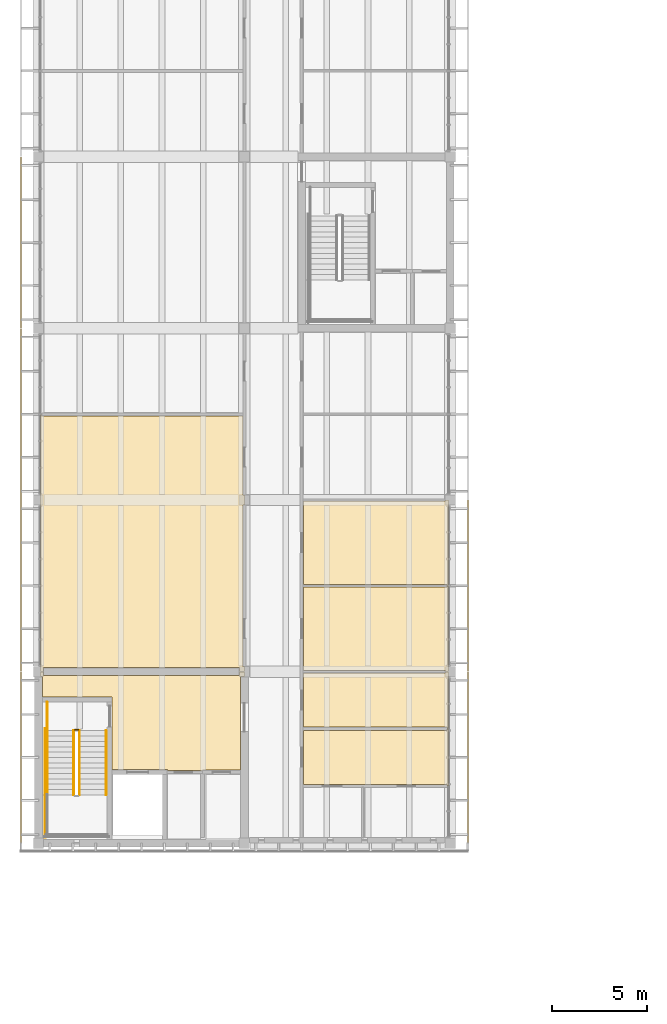
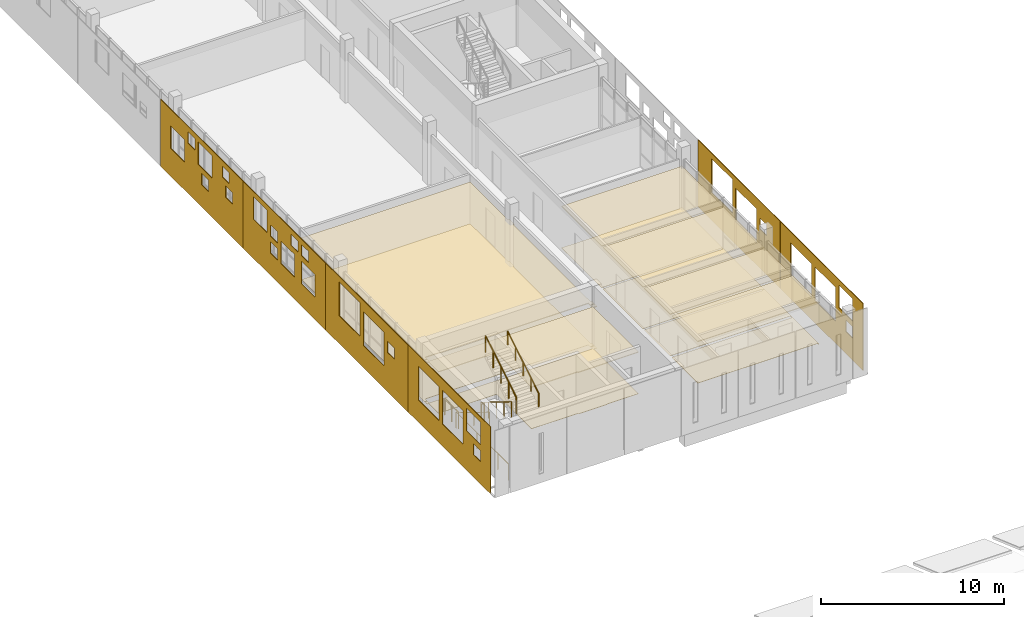
# One storey, part 63 of 74: 18 coverings, 7 railings.
"""IFC4 building model written with IfcOpenShell, lengths in metres."""

from ifc_helpers import new_model, si_unit, direction, frame, origin, origin_2d, place, context, subcontext, project, spatial, polyline, circle, outline, extrude, source, transform, mapped, material, layer, layer_set, type_object, element, save


model = new_model("IFC4")

# Units and contexts
model_context = context("Model", 3, precision=1e-05, world=origin(), true_north=direction((0.0, 1.0)))
body_context = subcontext(model_context, "Body", "Model", "MODEL_VIEW")
ifc_project = project(units=[si_unit("LENGTHUNIT", "METRE"), si_unit("AREAUNIT", "SQUARE_METRE"), si_unit("VOLUMEUNIT", "CUBIC_METRE"), si_unit("PLANEANGLEUNIT", "RADIAN"), si_unit("MASSUNIT", "GRAM", prefix="KILO")], contexts=[model_context])

# Site, building, storey
site_placement = place(None, origin())
site = spatial("IfcSite", under=ifc_project, at=site_placement, CompositionType="ELEMENT")
building_placement = place(site_placement, origin())
building = spatial("IfcBuilding", under=site, at=building_placement, Name="Merrow Basin Faculty of Sciences", CompositionType="ELEMENT")
storey_placement = place(building_placement, frame((0.0, 0.0, 13.5)))
storey = spatial("IfcBuildingStorey", under=building, at=storey_placement, Name="L03", CompositionType="ELEMENT", Elevation=13.5)

# Coverings
ifc_material_1 = material(Name="Carpet tile floor")
ifc_layer_1 = layer(ifc_material_1, 0.02001953125)
ifc_layer_set_1 = layer_set([ifc_layer_1], Name="Carpet tile floor")
covering_type_1 = type_object("IfcCoveringType", Name="Carpet tile floor", PredefinedType="FLOORING", material=ifc_layer_set_1)
covering_1_placement = place(storey_placement, origin())
element("IfcCovering", 1, at=covering_1_placement, inside=storey, type_object=covering_type_1, Name="Floor finish L03-B-021", PredefinedType="FLOORING", context=body_context, shape_type="SweptSolid", body=[
    extrude(outline(polyline([(21.489990234375, 74.489990234375), (21.489990234375, 70.010009765625), (21.3349609375, 70.010009765625), (21.3349609375, 70.06005859375), (13.885009765625, 70.06005859375), (13.885009765625, 74.43994140625), (21.429931640625, 74.43994140625), (21.429931640625, 74.489990234375), (21.489990234375, 74.489990234375)])), origin(), (0.0, 0.0, 1.0), 0.02001953125),
])
covering_2_placement = place(storey_placement, origin())
element("IfcCovering", 2, at=covering_2_placement, inside=storey, type_object=covering_type_1, Name="Floor finish L03-B-022", PredefinedType="FLOORING", context=body_context, shape_type="SweptSolid", body=[
    extrude(outline(polyline([(21.489990234375, 78.989990234375), (21.489990234375, 74.510009765625), (21.429931640625, 74.510009765625), (21.429931640625, 74.56005859375), (13.885009765625, 74.56005859375), (13.885009765625, 78.93994140625), (21.3349609375, 78.93994140625), (21.3349609375, 78.989990234375), (21.489990234375, 78.989990234375)])), origin(), (0.0, 0.0, 1.0), 0.02001953125),
])
covering_3_placement = place(storey_placement, origin())
element("IfcCovering", 3, at=covering_3_placement, inside=storey, type_object=covering_type_1, Name="Floor finish L03-B-029", PredefinedType="FLOORING", context=body_context, shape_type="SweptSolid", body=[
    extrude(outline(polyline([(21.489990234375, 69.989990234375), (21.489990234375, 67.010009765625), (21.429931640625, 67.010009765625), (21.429931640625, 67.0849609375), (13.885009765625, 67.0849609375), (13.885009765625, 69.93994140625), (21.3349609375, 69.93994140625), (21.3349609375, 69.989990234375), (21.489990234375, 69.989990234375)])), origin(), (0.0, 0.0, 1.0), 0.02001953125),
])
ifc_material_2 = material(Name="Laboratory sheet vinyl floor")
ifc_layer_2 = layer(ifc_material_2, 0.02001953125)
ifc_layer_set_2 = layer_set([ifc_layer_2], Name="Laboratory sheet vinyl floor")
covering_type_2 = type_object("IfcCoveringType", Name="Laboratory sheet vinyl floor", PredefinedType="FLOORING", material=ifc_layer_set_2)
covering_4_placement = place(storey_placement, origin())
element("IfcCovering", 4, at=covering_4_placement, inside=storey, type_object=covering_type_2, Name="Floor finish L03-B-017", PredefinedType="FLOORING", context=body_context, shape_type="SweptSolid", body=[
    extrude(outline(polyline([(10.715087890625, 83.4150390625), (10.715087890625, 79.264892578125), (10.7900390625, 79.264892578125), (10.7900390625, 78.735107421875), (10.715087890625, 78.735107421875), (10.715087890625, 70.264892578125), (10.7900390625, 70.264892578125), (10.7900390625, 70.010009765625), (10.534912109375, 70.010009765625), (10.534912109375, 70.2099609375), (0.264892578125, 70.2099609375), (0.264892578125, 70.010009765625), (0.110107421875, 70.010009765625), (0.110107421875, 83.489990234375), (0.169921875, 83.489990234375), (0.169921875, 83.4150390625), (10.715087890625, 83.4150390625)])), origin(), (0.0, 0.0, 1.0), 0.02001953125),
])
ifc_material_3 = material(Name="Polished terrazzo floor")
ifc_layer_3 = layer(ifc_material_3, 0.02001953125)
ifc_layer_set_3 = layer_set([ifc_layer_3], Name="Polished terrazzo floor")
covering_type_3 = type_object("IfcCoveringType", Name="Polished terrazzo floor", PredefinedType="FLOORING", material=ifc_layer_set_3)
covering_5_placement = place(storey_placement, origin())
element("IfcCovering", 5, at=covering_5_placement, inside=storey, type_object=covering_type_3, Name="Floor finish L03-B-005", PredefinedType="FLOORING", context=body_context, shape_type="SweptSolid", body=[
    extrude(outline(polyline([(10.590087890625, 64.8349609375), (8.590087890625, 64.8349609375), (8.590087890625, 64.81005859375), (6.760009765625, 64.81005859375), (6.760009765625, 64.860107421875), (3.860107421875, 64.860107421875), (3.860107421875, 68.659912109375), (0.2099609375, 68.659912109375), (0.2099609375, 69.735107421875), (0.110107421875, 69.735107421875), (0.110107421875, 69.989990234375), (0.264892578125, 69.989990234375), (0.264892578125, 69.7900390625), (10.534912109375, 69.7900390625), (10.534912109375, 69.989990234375), (10.7900390625, 69.989990234375), (10.7900390625, 69.735107421875), (10.590087890625, 69.735107421875), (10.590087890625, 64.8349609375)])), origin(), (0.0, 0.0, 1.0), 0.02001953125),
])
covering_6_placement = place(storey_placement, origin())
element("IfcCovering", 6, at=covering_6_placement, inside=storey, type_object=covering_type_3, Name="Floor finish L03-B-016", PredefinedType="FLOORING", context=body_context, shape_type="SweptSolid", body=[
    extrude(outline(polyline([(21.489990234375, 66.989990234375), (21.489990234375, 64.010009765625), (21.429931640625, 64.010009765625), (21.429931640625, 64.0849609375), (13.885009765625, 64.0849609375), (13.885009765625, 66.9150390625), (21.429931640625, 66.9150390625), (21.429931640625, 66.989990234375), (21.489990234375, 66.989990234375)])), origin(), (0.0, 0.0, 1.0), 0.02001953125),
])

# Railings
ifc_material_4 = material(Name="Steel ASTM A36", Category="steel")
railing_type_1 = type_object("IfcRailingType", Name="Steel guard 1100", PredefinedType="GUARDRAIL", material=ifc_material_4)
railing_1_placement = place(storey_placement, frame((1.85009765625, 66.89990234375, 0.173095703125)))
element("IfcRailing", 7, at=railing_1_placement, inside=storey, type_object=railing_type_1, Name="L03 ST-V4-S stair guard 1", PredefinedType="GUARDRAIL", context=body_context, shape_type="SweptSolid", body=[
    extrude(circle(Radius=0.02392578125, at=origin_2d()), frame((0.0, 0.0, 1.076171875), z_axis=(0.0, -0.850606129759, 0.525803396734), x_axis=(1.0, 0.0, 0.0)), (0.0, 0.0, 1.0), 3.949951171875),
    extrude(circle(Radius=0.02099609375, at=origin_2d()), origin(), (0.0, 0.0, 1.0), 1.052001953125),
    extrude(circle(Radius=0.02099609375, at=origin_2d()), frame((0.0, -0.83984375, 0.519287109375)), (0.0, 0.0, 1.0), 1.052001953125),
    extrude(circle(Radius=0.02099609375, at=origin_2d()), frame((0.0, -1.679931640625, 1.03857421875)), (0.0, 0.0, 1.0), 1.052001953125),
    extrude(circle(Radius=0.02099609375, at=origin_2d()), frame((0.0, -2.52001953125, 1.5576171875)), (0.0, 0.0, 1.0), 1.052001953125),
    extrude(circle(Radius=0.02099609375, at=origin_2d()), frame((0.0, -3.35986328125, 2.076904296875)), (0.0, 0.0, 1.0), 1.052001953125),
])
railing_2_placement = place(storey_placement, frame((2.14990234375, 63.5400390625, 2.423095703125)))
element("IfcRailing", 8, at=railing_2_placement, inside=storey, type_object=railing_type_1, Name="L03 ST-V4-S stair guard 5", PredefinedType="GUARDRAIL", context=body_context, shape_type="SweptSolid", body=[
    extrude(circle(Radius=0.02392578125, at=origin_2d()), frame((0.0, 0.0, 1.076171875), z_axis=(0.0, 0.850606129759, 0.525803396734), x_axis=(-1.0, 0.0, 0.0)), (0.0, 0.0, 1.0), 3.949951171875),
    extrude(circle(Radius=0.02099609375, at=origin_2d()), origin(), (0.0, 0.0, 1.0), 1.052001953125),
    extrude(circle(Radius=0.02099609375, at=origin_2d()), frame((0.0, 0.83984375, 0.519287109375)), (0.0, 0.0, 1.0), 1.052001953125),
    extrude(circle(Radius=0.02099609375, at=origin_2d()), frame((0.0, 1.679931640625, 1.03857421875)), (0.0, 0.0, 1.0), 1.052001953125),
    extrude(circle(Radius=0.02099609375, at=origin_2d()), frame((0.0, 2.52001953125, 1.5576171875)), (0.0, 0.0, 1.0), 1.052001953125),
    extrude(circle(Radius=0.02099609375, at=origin_2d()), frame((0.0, 3.35986328125, 2.076904296875)), (0.0, 0.0, 1.0), 1.052001953125),
])
railing_3_placement = place(storey_placement, frame((1.89990234375, 66.949951171875, 0.0)))
element("IfcRailing", 9, at=railing_3_placement, inside=storey, type_object=railing_type_1, Name="L03 ST-V4-S stair guard 6", PredefinedType="GUARDRAIL", context=body_context, shape_type="SweptSolid", body=[
    extrude(circle(Radius=0.02392578125, at=origin_2d()), frame((0.0, 0.0, 1.076171875), z_axis=(1.0, 0.0, 0.0), x_axis=(0.0, 1.0, 0.0)), (0.0, 0.0, 1.0), 0.2001953125),
    extrude(circle(Radius=0.02099609375, at=origin_2d()), origin(), (0.0, 0.0, 1.0), 1.052001953125),
    extrude(circle(Radius=0.02099609375, at=origin_2d()), frame((0.2001953125, 0.0, 0.0)), (0.0, 0.0, 1.0), 1.052001953125),
])
railing_4_placement = place(storey_placement, frame((0.449951171875, 68.39990234375, 0.0)))
element("IfcRailing", 10, at=railing_4_placement, inside=storey, type_object=railing_type_1, Name="L03 ST-V4-S stair guard 7", PredefinedType="GUARDRAIL", context=body_context, shape_type="SweptSolid", body=[
    extrude(circle(Radius=0.02392578125, at=origin_2d()), frame((0.0, 0.0, 1.076171875), z_axis=(0.0, -1.0, 0.0), x_axis=(1.0, 0.0, 0.0)), (0.0, 0.0, 1.0), 1.5),
    extrude(circle(Radius=0.02099609375, at=origin_2d()), origin(), (0.0, 0.0, 1.0), 1.052001953125),
    extrude(circle(Radius=0.02099609375, at=origin_2d()), frame((0.0, -0.75, 0.0)), (0.0, 0.0, 1.0), 1.052001953125),
    extrude(circle(Radius=0.02099609375, at=origin_2d()), frame((0.0, -1.5, 0.0)), (0.0, 0.0, 1.0), 1.052001953125),
])
railing_5_placement = place(storey_placement, frame((0.35009765625, 67.0, 0.0)))
element("IfcRailing", 11, at=railing_5_placement, inside=storey, type_object=railing_type_1, Name="L03 ST-V4-S stair guard 8", PredefinedType="GUARDRAIL", context=body_context, shape_type="SweptSolid", body=[
    extrude(circle(Radius=0.02392578125, at=origin_2d()), frame((0.0, 0.0, 1.076171875), z_axis=(0.0, -1.0, 0.0), x_axis=(1.0, 0.0, 0.0)), (0.0, 0.0, 1.0), 5.699951171875),
    extrude(circle(Radius=0.02099609375, at=origin_2d()), origin(), (0.0, 0.0, 1.0), 1.052001953125),
    extrude(circle(Radius=0.02099609375, at=origin_2d()), frame((0.0, -1.139892578125, 0.0)), (0.0, 0.0, 1.0), 1.052001953125),
    extrude(circle(Radius=0.02099609375, at=origin_2d()), frame((0.0, -2.280029296875, 0.0)), (0.0, 0.0, 1.0), 1.052001953125),
    extrude(circle(Radius=0.02099609375, at=origin_2d()), frame((0.0, -3.419921875, 0.0)), (0.0, 0.0, 1.0), 1.052001953125),
    extrude(circle(Radius=0.02099609375, at=origin_2d()), frame((0.0, -4.56005859375, 0.0)), (0.0, 0.0, 1.0), 1.052001953125),
    extrude(circle(Radius=0.02099609375, at=origin_2d()), frame((0.0, -5.699951171875, 0.0)), (0.0, 0.0, 1.0), 1.052001953125),
])
ifc_material_5 = material(Name="Steel ASTM A36", Category="steel")
railing_type_2 = type_object("IfcRailingType", Name="Steel handrail 900", PredefinedType="HANDRAIL", material=ifc_material_5)
railing_6_placement = place(storey_placement, frame((0.449951171875, 66.89990234375, 0.173095703125)))
element("IfcRailing", 12, at=railing_6_placement, inside=storey, type_object=railing_type_2, Name="L03 ST-V4-S stair handrail 1", PredefinedType="HANDRAIL", context=body_context, shape_type="SweptSolid", body=[
    extrude(circle(Radius=0.02392578125, at=origin_2d()), frame((0.0, 0.0, 0.8759765625), z_axis=(0.0, -0.850606129759, 0.525803396734), x_axis=(1.0, 0.0, 0.0)), (0.0, 0.0, 1.0), 3.949951171875),
    extrude(circle(Radius=0.02099609375, at=origin_2d()), origin(), (0.0, 0.0, 1.0), 0.851806640625),
    extrude(circle(Radius=0.02099609375, at=origin_2d()), frame((0.0, -0.83984375, 0.519287109375)), (0.0, 0.0, 1.0), 0.851806640625),
    extrude(circle(Radius=0.02099609375, at=origin_2d()), frame((0.0, -1.679931640625, 1.03857421875)), (0.0, 0.0, 1.0), 0.851806640625),
    extrude(circle(Radius=0.02099609375, at=origin_2d()), frame((0.0, -2.52001953125, 1.5576171875)), (0.0, 0.0, 1.0), 0.851806640625),
    extrude(circle(Radius=0.02099609375, at=origin_2d()), frame((0.0, -3.35986328125, 2.076904296875)), (0.0, 0.0, 1.0), 0.851806640625),
])
railing_7_placement = place(storey_placement, frame((3.550048828125, 63.5400390625, 2.423095703125)))
element("IfcRailing", 13, at=railing_7_placement, inside=storey, type_object=railing_type_2, Name="L03 ST-V4-S stair handrail 2", PredefinedType="HANDRAIL", context=body_context, shape_type="SweptSolid", body=[
    extrude(circle(Radius=0.02392578125, at=origin_2d()), frame((0.0, 0.0, 0.8759765625), z_axis=(0.0, 0.850606129759, 0.525803396734), x_axis=(-1.0, 0.0, 0.0)), (0.0, 0.0, 1.0), 3.949951171875),
    extrude(circle(Radius=0.02099609375, at=origin_2d()), origin(), (0.0, 0.0, 1.0), 0.851806640625),
    extrude(circle(Radius=0.02099609375, at=origin_2d()), frame((0.0, 0.83984375, 0.519287109375)), (0.0, 0.0, 1.0), 0.851806640625),
    extrude(circle(Radius=0.02099609375, at=origin_2d()), frame((0.0, 1.679931640625, 1.03857421875)), (0.0, 0.0, 1.0), 0.851806640625),
    extrude(circle(Radius=0.02099609375, at=origin_2d()), frame((0.0, 2.52001953125, 1.5576171875)), (0.0, 0.0, 1.0), 0.851806640625),
    extrude(circle(Radius=0.02099609375, at=origin_2d()), frame((0.0, 3.35986328125, 2.076904296875)), (0.0, 0.0, 1.0), 0.851806640625),
])

# Coverings
ifc_material_6 = material(Name="Mineral fibre ceiling tile")
ifc_layer_4 = layer(ifc_material_6, 0.050048828125)
ifc_layer_set_4 = layer_set([ifc_layer_4], Name="Suspended acoustic ceiling tile")
covering_type_4 = type_object("IfcCoveringType", Name="Suspended acoustic ceiling tile", PredefinedType="CEILING", material=ifc_layer_set_4)
covering_7_placement = place(storey_placement, frame((0.0, 0.0, 2.75)))
element("IfcCovering", 14, at=covering_7_placement, inside=storey, type_object=covering_type_4, Name="Ceiling L03-B-005", PredefinedType="CEILING", context=body_context, shape_type="SweptSolid", body=[
    extrude(outline(polyline([(10.590087890625, 64.8349609375), (8.590087890625, 64.8349609375), (8.590087890625, 64.81005859375), (6.760009765625, 64.81005859375), (6.760009765625, 64.860107421875), (3.860107421875, 64.860107421875), (3.860107421875, 68.659912109375), (0.2099609375, 68.659912109375), (0.2099609375, 69.735107421875), (0.110107421875, 69.735107421875), (0.110107421875, 69.989990234375), (0.264892578125, 69.989990234375), (0.264892578125, 69.7900390625), (10.534912109375, 69.7900390625), (10.534912109375, 69.989990234375), (10.7900390625, 69.989990234375), (10.7900390625, 69.735107421875), (10.590087890625, 69.735107421875), (10.590087890625, 64.8349609375)])), origin(), (0.0, 0.0, 1.0), 0.050048828125),
])
covering_8_placement = place(storey_placement, frame((0.0, 0.0, 2.75)))
element("IfcCovering", 15, at=covering_8_placement, inside=storey, type_object=covering_type_4, Name="Ceiling L03-B-016", PredefinedType="CEILING", context=body_context, shape_type="SweptSolid", body=[
    extrude(outline(polyline([(21.489990234375, 66.989990234375), (21.489990234375, 64.010009765625), (21.429931640625, 64.010009765625), (21.429931640625, 64.0849609375), (13.885009765625, 64.0849609375), (13.885009765625, 66.9150390625), (21.429931640625, 66.9150390625), (21.429931640625, 66.989990234375), (21.489990234375, 66.989990234375)])), origin(), (0.0, 0.0, 1.0), 0.050048828125),
])
covering_9_placement = place(storey_placement, frame((0.0, 0.0, 2.75)))
element("IfcCovering", 16, at=covering_9_placement, inside=storey, type_object=covering_type_4, Name="Ceiling L03-B-017", PredefinedType="CEILING", context=body_context, shape_type="SweptSolid", body=[
    extrude(outline(polyline([(10.715087890625, 83.4150390625), (10.715087890625, 79.264892578125), (10.7900390625, 79.264892578125), (10.7900390625, 78.735107421875), (10.715087890625, 78.735107421875), (10.715087890625, 70.264892578125), (10.7900390625, 70.264892578125), (10.7900390625, 70.010009765625), (10.534912109375, 70.010009765625), (10.534912109375, 70.2099609375), (0.264892578125, 70.2099609375), (0.264892578125, 70.010009765625), (0.110107421875, 70.010009765625), (0.110107421875, 83.489990234375), (0.169921875, 83.489990234375), (0.169921875, 83.4150390625), (10.715087890625, 83.4150390625)])), origin(), (0.0, 0.0, 1.0), 0.050048828125),
])
covering_10_placement = place(storey_placement, frame((0.0, 0.0, 2.75)))
element("IfcCovering", 17, at=covering_10_placement, inside=storey, type_object=covering_type_4, Name="Ceiling L03-B-021", PredefinedType="CEILING", context=body_context, shape_type="SweptSolid", body=[
    extrude(outline(polyline([(21.489990234375, 74.489990234375), (21.489990234375, 70.010009765625), (21.3349609375, 70.010009765625), (21.3349609375, 70.06005859375), (13.885009765625, 70.06005859375), (13.885009765625, 74.43994140625), (21.429931640625, 74.43994140625), (21.429931640625, 74.489990234375), (21.489990234375, 74.489990234375)])), origin(), (0.0, 0.0, 1.0), 0.050048828125),
])
covering_11_placement = place(storey_placement, frame((0.0, 0.0, 2.75)))
element("IfcCovering", 18, at=covering_11_placement, inside=storey, type_object=covering_type_4, Name="Ceiling L03-B-022", PredefinedType="CEILING", context=body_context, shape_type="SweptSolid", body=[
    extrude(outline(polyline([(21.489990234375, 78.989990234375), (21.489990234375, 74.510009765625), (21.429931640625, 74.510009765625), (21.429931640625, 74.56005859375), (13.885009765625, 74.56005859375), (13.885009765625, 78.93994140625), (21.3349609375, 78.93994140625), (21.3349609375, 78.989990234375), (21.489990234375, 78.989990234375)])), origin(), (0.0, 0.0, 1.0), 0.050048828125),
])
covering_12_placement = place(storey_placement, frame((0.0, 0.0, 2.75)))
element("IfcCovering", 19, at=covering_12_placement, inside=storey, type_object=covering_type_4, Name="Ceiling L03-B-029", PredefinedType="CEILING", context=body_context, shape_type="SweptSolid", body=[
    extrude(outline(polyline([(21.489990234375, 69.989990234375), (21.489990234375, 67.010009765625), (21.429931640625, 67.010009765625), (21.429931640625, 67.0849609375), (13.885009765625, 67.0849609375), (13.885009765625, 69.93994140625), (21.3349609375, 69.93994140625), (21.3349609375, 69.989990234375), (21.489990234375, 69.989990234375)])), origin(), (0.0, 0.0, 1.0), 0.050048828125),
])
ifc_material_7 = material(Name="White powder-coated aluminium", Category="aluminium")
ifc_layer_5 = layer(ifc_material_7, 0.0400390625)
ifc_layer_set_5 = layer_set([ifc_layer_5], Name="Perforated panel 9000 x 4500")
covering_type_5 = type_object("IfcCoveringType", Name="Perforated panel 9000 x 4500", PredefinedType="CLADDING", material=ifc_layer_set_5)
shared_shape_1 = source(origin(), body_context, "Body", "SweptSolid", [
    extrude(outline(polyline([(0.02001953125, 0.02001953125), (8.97998046875, 0.02001953125), (8.97998046875, 4.47998046875), (0.02001953125, 4.47998046875), (0.02001953125, 0.02001953125)]), holes=[polyline([(1.125, 1.5), (1.875, 1.5), (1.875, 2.25), (1.125, 2.25), (1.125, 1.5)]), polyline([(3.0, 1.5), (5.25, 1.5), (5.25, 3.75), (3.0, 3.75), (3.0, 1.5)]), polyline([(5.625, 1.5), (7.875, 1.5), (7.875, 3.75), (5.625, 3.75), (5.625, 1.5)]), polyline([(1.125, 2.625), (2.625, 2.625), (2.625, 4.125), (1.125, 4.125), (1.125, 2.625)])]), origin(), (0.0, 0.0, 1.0), 0.0400390625),
])
covering_13_placement = place(storey_placement, frame((-0.93994140625, 61.0, -0.320068359375), z_axis=(1.0, 0.0, 0.0), x_axis=(0.0, 1.0, 0.0)))
element("IfcCovering", 20, at=covering_13_placement, inside=storey, type_object=covering_type_5, Name="Perforated panel WL03-01", PredefinedType="CLADDING", context=body_context, shape_type="MappedRepresentation", body=[
    mapped(shared_shape_1, transform((0.0, 0.0, 0.0), scale=1.0)),
])
shared_shape_2 = source(origin(), body_context, "Body", "SweptSolid", [
    extrude(outline(polyline([(0.02001953125, 0.02001953125), (8.97998046875, 0.02001953125), (8.97998046875, 4.47998046875), (0.02001953125, 4.47998046875), (0.02001953125, 0.02001953125)]), holes=[polyline([(7.125, 1.5), (7.875, 1.5), (7.875, 2.25), (7.125, 2.25), (7.125, 1.5)]), polyline([(3.75, 1.5), (6.0, 1.5), (6.0, 3.75), (3.75, 3.75), (3.75, 1.5)]), polyline([(1.125, 1.5), (3.375, 1.5), (3.375, 3.75), (1.125, 3.75), (1.125, 1.5)]), polyline([(6.375, 2.625), (7.875, 2.625), (7.875, 4.125), (6.375, 4.125), (6.375, 2.625)])]), origin(), (0.0, 0.0, 1.0), 0.0400390625),
])
covering_14_placement = place(storey_placement, frame((22.5400390625, 70.0, -0.320068359375), z_axis=(-1.0, 0.0, 0.0), x_axis=(0.0, -1.0, 0.0)))
element("IfcCovering", 21, at=covering_14_placement, inside=storey, type_object=covering_type_5, Name="Perforated panel EL03-01", PredefinedType="CLADDING", context=body_context, shape_type="MappedRepresentation", body=[
    mapped(shared_shape_2, transform((0.0, 0.0, 0.0), scale=1.0)),
])
shared_shape_3 = source(origin(), body_context, "Body", "SweptSolid", [
    extrude(outline(polyline([(0.02001953125, 0.02001953125), (8.97998046875, 0.02001953125), (8.97998046875, 4.47998046875), (0.02001953125, 4.47998046875), (0.02001953125, 0.02001953125)]), holes=[polyline([(2.625, 1.5), (4.875, 1.5), (4.875, 3.75), (2.625, 3.75), (2.625, 1.5)]), polyline([(5.25, 1.875), (7.5, 1.875), (7.5, 4.125), (5.25, 4.125), (5.25, 1.875)]), polyline([(1.5, 2.625), (2.25, 2.625), (2.25, 3.375), (1.5, 3.375), (1.5, 2.625)])]), origin(), (0.0, 0.0, 1.0), 0.0400390625),
])
covering_15_placement = place(storey_placement, frame((-0.93994140625, 70.0, -0.320068359375), z_axis=(1.0, 0.0, 0.0), x_axis=(0.0, 1.0, 0.0)))
element("IfcCovering", 22, at=covering_15_placement, inside=storey, type_object=covering_type_5, Name="Perforated panel WL03-02", PredefinedType="CLADDING", context=body_context, shape_type="MappedRepresentation", body=[
    mapped(shared_shape_3, transform((0.0, 0.0, 0.0), scale=1.0)),
])
shared_shape_4 = source(origin(), body_context, "Body", "SweptSolid", [
    extrude(outline(polyline([(0.02001953125, 0.02001953125), (8.97998046875, 0.02001953125), (8.97998046875, 4.47998046875), (0.02001953125, 4.47998046875), (0.02001953125, 0.02001953125)]), holes=[polyline([(4.125, 1.5), (6.375, 1.5), (6.375, 3.75), (4.125, 3.75), (4.125, 1.5)]), polyline([(1.5, 1.875), (3.75, 1.875), (3.75, 4.125), (1.5, 4.125), (1.5, 1.875)]), polyline([(6.75, 2.625), (7.5, 2.625), (7.5, 3.375), (6.75, 3.375), (6.75, 2.625)])]), origin(), (0.0, 0.0, 1.0), 0.0400390625),
])
covering_16_placement = place(storey_placement, frame((22.5400390625, 79.0, -0.320068359375), z_axis=(-1.0, 0.0, 0.0), x_axis=(0.0, -1.0, 0.0)))
element("IfcCovering", 23, at=covering_16_placement, inside=storey, type_object=covering_type_5, Name="Perforated panel EL03-02", PredefinedType="CLADDING", context=body_context, shape_type="MappedRepresentation", body=[
    mapped(shared_shape_4, transform((0.0, 0.0, 0.0), scale=1.0)),
])
shared_shape_5 = source(origin(), body_context, "Body", "SweptSolid", [
    extrude(outline(polyline([(0.02001953125, 0.02001953125), (8.97998046875, 0.02001953125), (8.97998046875, 4.47998046875), (0.02001953125, 4.47998046875), (0.02001953125, 0.02001953125)]), holes=[polyline([(1.125, 1.5), (2.625, 1.5), (2.625, 3.0), (1.125, 3.0), (1.125, 1.5)]), polyline([(3.375, 1.5), (4.875, 1.5), (4.875, 3.0), (3.375, 3.0), (3.375, 1.5)]), polyline([(5.25, 1.5), (6.0, 1.5), (6.0, 2.25), (5.25, 2.25), (5.25, 1.5)]), polyline([(5.25, 2.625), (6.0, 2.625), (6.0, 3.375), (5.25, 3.375), (5.25, 2.625)]), polyline([(6.375, 2.625), (7.875, 2.625), (7.875, 4.125), (6.375, 4.125), (6.375, 2.625)]), polyline([(1.875, 3.375), (2.625, 3.375), (2.625, 4.125), (1.875, 4.125), (1.875, 3.375)]), polyline([(3.0, 3.375), (3.75, 3.375), (3.75, 4.125), (3.0, 4.125), (3.0, 3.375)])]), origin(), (0.0, 0.0, 1.0), 0.0400390625),
])
covering_17_placement = place(storey_placement, frame((-0.93994140625, 79.0, -0.320068359375), z_axis=(1.0, 0.0, 0.0), x_axis=(0.0, 1.0, 0.0)))
element("IfcCovering", 24, at=covering_17_placement, inside=storey, type_object=covering_type_5, Name="Perforated panel WL03-03", PredefinedType="CLADDING", context=body_context, shape_type="MappedRepresentation", body=[
    mapped(shared_shape_5, transform((0.0, 0.0, 0.0), scale=1.0)),
])
shared_shape_6 = source(origin(), body_context, "Body", "SweptSolid", [
    extrude(outline(polyline([(0.02001953125, 0.02001953125), (8.97998046875, 0.02001953125), (8.97998046875, 4.47998046875), (0.02001953125, 4.47998046875), (0.02001953125, 0.02001953125)]), holes=[polyline([(3.75, 1.5), (4.5, 1.5), (4.5, 2.25), (3.75, 2.25), (3.75, 1.5)]), polyline([(6.375, 1.875), (7.875, 1.875), (7.875, 3.375), (6.375, 3.375), (6.375, 1.875)]), polyline([(1.125, 2.25), (1.875, 2.25), (1.875, 3.0), (1.125, 3.0), (1.125, 2.25)]), polyline([(3.375, 2.625), (4.875, 2.625), (4.875, 4.125), (3.375, 4.125), (3.375, 2.625)]), polyline([(1.5, 3.375), (2.25, 3.375), (2.25, 4.125), (1.5, 4.125), (1.5, 3.375)]), polyline([(5.25, 3.375), (6.0, 3.375), (6.0, 4.125), (5.25, 4.125), (5.25, 3.375)])]), origin(), (0.0, 0.0, 1.0), 0.0400390625),
])
covering_18_placement = place(storey_placement, frame((-0.93994140625, 88.0, -0.320068359375), z_axis=(1.0, 0.0, 0.0), x_axis=(0.0, 1.0, 0.0)))
element("IfcCovering", 25, at=covering_18_placement, inside=storey, type_object=covering_type_5, Name="Perforated panel WL03-04", PredefinedType="CLADDING", context=body_context, shape_type="MappedRepresentation", body=[
    mapped(shared_shape_6, transform((0.0, 0.0, 0.0), scale=1.0)),
])

save(model, "model.ifc")
